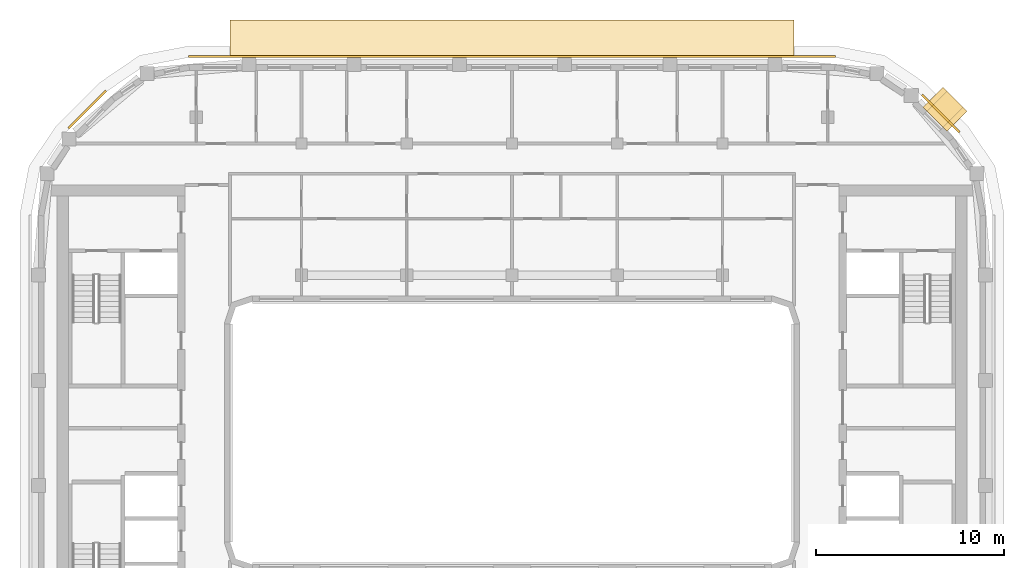
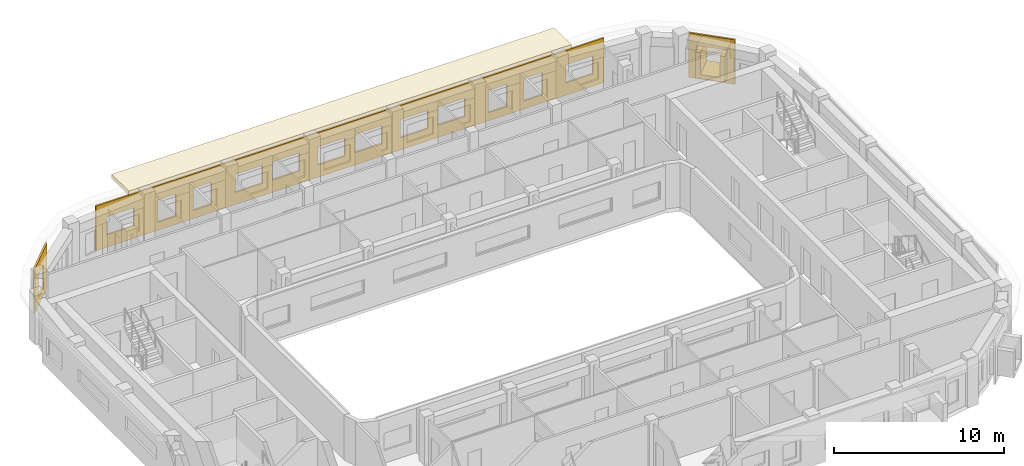
# One storey, part 16 of 16: 6 coverings.
"""IFC4 building model written with IfcOpenShell, lengths in metres."""

from ifc_helpers import new_model, si_unit, direction, frame, origin, origin_2d, place, context, subcontext, project, spatial, polyline, rectangle, outline, extrude, material, layer, layer_set, type_object, element, save


model = new_model("IFC4")

# Units and contexts
model_context = context("Model", 3, precision=1e-05, world=origin(), true_north=direction((0.0, 1.0)))
body_context = subcontext(model_context, "Body", "Model", "MODEL_VIEW")
ifc_project = project(units=[si_unit("LENGTHUNIT", "METRE"), si_unit("AREAUNIT", "SQUARE_METRE"), si_unit("VOLUMEUNIT", "CUBIC_METRE"), si_unit("PLANEANGLEUNIT", "RADIAN"), si_unit("MASSUNIT", "GRAM", prefix="KILO")], contexts=[model_context])

# Site, building, storey
site_placement = place(None, origin())
site = spatial("IfcSite", under=ifc_project, at=site_placement, CompositionType="ELEMENT")
building_placement = place(site_placement, origin())
building = spatial("IfcBuilding", under=site, at=building_placement, Name="Kiln Ring Residences", CompositionType="ELEMENT")
storey_placement = place(building_placement, frame((0.0, 0.0, 273.199951171875)))
storey = spatial("IfcBuildingStorey", under=building, at=storey_placement, Name="L71", CompositionType="ELEMENT", Elevation=273.199951171875)

# Coverings
ifc_material_1 = material(Name="Brick masonry, dark clay brick", Category="masonry")
ifc_layer_1 = layer(ifc_material_1, 0.300048828125)
ifc_layer_set_1 = layer_set([ifc_layer_1], Name="FRAME CHEEKS AND SILL 1500")
covering_type_1 = type_object("IfcCoveringType", Name="FRAME CHEEKS AND SILL 1500", PredefinedType="CLADDING", material=ifc_layer_set_1)
covering_1_placement = place(storey_placement, frame((23.6708984375, 16.58984375, 0.300048828125), z_axis=(0.0, 0.0, 1.0), x_axis=(-0.707106781187, 0.707106781187, 0.0)))
element("IfcCovering", 1, at=covering_1_placement, inside=storey, type_object=covering_type_1, Name="FRAME L71", PredefinedType="CLADDING", context=body_context, shape_type="SweptSolid", body=[
    extrude(outline(polyline([(0.0, 0.0), (1.7998046875, 0.0), (1.800048828125, 1.85009765625), (1.5009765625, 1.85009765625), (1.5, 0.300048828125), (0.300048828125, 0.300048828125), (0.299072265625, 1.85009765625), (0.0, 1.85009765625), (0.0, 0.0)])), frame((0.0, 0.75, 0.0), z_axis=(0.0, -1.0, 0.0), x_axis=(1.0, 0.0, 0.0)), (0.0, 0.0, 1.0), 1.5),
])
ifc_material_2 = material(Name="Brick masonry, dark clay brick", Category="masonry")
ifc_layer_2 = layer(ifc_material_2, 0.199951171875)
ifc_layer_set_2 = layer_set([ifc_layer_2], Name="FRAME HEAD 1500")
covering_type_2 = type_object("IfcCoveringType", Name="FRAME HEAD 1500", PredefinedType="CLADDING", material=ifc_layer_set_2)
covering_2_placement = place(storey_placement, frame((23.034423828125, 17.22607421875, 2.14990234375), z_axis=(0.0, 0.0, 1.0), x_axis=(-0.707106781187, 0.707106781187, 0.0)))
element("IfcCovering", 2, at=covering_2_placement, inside=storey, type_object=covering_type_2, Name="FRAME HEAD L71", PredefinedType="CLADDING", context=body_context, shape_type="SweptSolid", body=[
    extrude(rectangle(XDim=1.800048828125, YDim=1.5, at=origin_2d()), origin(), (0.0, 0.0, 1.0), 0.199951171875),
])
ifc_material_3 = material(Name="Brick masonry, dark clay brick", Category="masonry")
ifc_layer_3 = layer(ifc_material_3, 0.1201171875)
ifc_layer_set_3 = layer_set([ifc_layer_3], Name="RAINSCREEN PANEL 120")
covering_type_3 = type_object("IfcCoveringType", Name="RAINSCREEN PANEL 120", PredefinedType="CLADDING", material=ifc_layer_set_3)
covering_3_placement = place(storey_placement, frame((23.810546875, 16.004638671875, 0.0), z_axis=(0.0, 0.0, 1.0), x_axis=(-0.707106781187, 0.707106781187, 0.0)))
element("IfcCovering", 3, at=covering_3_placement, inside=storey, type_object=covering_type_3, Name="RAINSCREEN L71", PredefinedType="CLADDING", context=body_context, shape_type="SweptSolid", body=[
    extrude(outline(polyline([(0.0, 0.0), (2.824951171875, 0.0), (2.824951171875, 3.199951171875), (0.0, 3.199951171875), (0.0, 0.0)]), holes=[polyline([(0.492431640625, 2.3701171875), (0.492431640625, 0.280029296875), (2.33251953125, 0.280029296875), (2.33251953125, 2.3701171875), (0.492431640625, 2.3701171875)])]), frame((0.0, 0.06005859375, 0.0), z_axis=(0.0, -1.0, 0.0), x_axis=(1.0, 0.0, 0.0)), (0.0, 0.0, 1.0), 0.1201171875),
])
covering_4_placement = place(storey_placement, frame((17.199951171875, 20.034912109375, 0.0), z_axis=(0.0, 0.0, 1.0), x_axis=(-1.0, 0.0, 0.0)))
element("IfcCovering", 4, at=covering_4_placement, inside=storey, type_object=covering_type_3, Name="RAINSCREEN L71", PredefinedType="CLADDING", context=body_context, shape_type="SweptSolid", body=[
    extrude(outline(polyline([(0.0, 0.0), (34.39990234375, 0.0), (34.39990234375, 3.199951171875), (0.0, 3.199951171875), (0.0, 0.0)]), holes=[polyline([(4.179931640625, 0.580078125), (5.419921875, 0.580078125), (5.419921875, 2.170166015625), (4.179931640625, 2.170166015625), (4.179931640625, 0.580078125)]), polyline([(6.580078125, 2.170166015625), (6.580078125, 0.580078125), (7.820068359375, 0.580078125), (7.820068359375, 2.170166015625), (6.580078125, 2.170166015625)]), polyline([(0.72998046875, 2.170166015625), (0.72998046875, 0.880126953125), (2.570068359375, 0.880126953125), (2.570068359375, 2.170166015625), (0.72998046875, 2.170166015625)]), polyline([(9.429931640625, 0.880126953125), (11.27001953125, 0.880126953125), (11.27001953125, 2.170166015625), (9.429931640625, 2.170166015625), (9.429931640625, 0.880126953125)]), polyline([(11.929931640625, 2.170166015625), (11.929931640625, 0.880126953125), (13.77001953125, 0.880126953125), (13.77001953125, 2.170166015625), (11.929931640625, 2.170166015625)]), polyline([(15.030029296875, 2.170166015625), (15.030029296875, 0.880126953125), (16.8701171875, 0.880126953125), (16.8701171875, 2.170166015625), (15.030029296875, 2.170166015625)]), polyline([(26.580078125, 0.580078125), (27.820068359375, 0.580078125), (27.820068359375, 2.170166015625), (26.580078125, 2.170166015625), (26.580078125, 0.580078125)]), polyline([(28.97998046875, 2.170166015625), (28.97998046875, 0.580078125), (30.219970703125, 0.580078125), (30.219970703125, 2.170166015625), (28.97998046875, 2.170166015625)]), polyline([(17.530029296875, 2.170166015625), (17.530029296875, 0.880126953125), (19.3701171875, 0.880126953125), (19.3701171875, 2.170166015625), (17.530029296875, 2.170166015625)]), polyline([(20.6298828125, 0.880126953125), (22.469970703125, 0.880126953125), (22.469970703125, 2.170166015625), (20.6298828125, 2.170166015625), (20.6298828125, 0.880126953125)]), polyline([(23.1298828125, 2.170166015625), (23.1298828125, 0.880126953125), (24.969970703125, 0.880126953125), (24.969970703125, 2.170166015625), (23.1298828125, 2.170166015625)]), polyline([(31.830078125, 2.170166015625), (31.830078125, 0.880126953125), (33.669921875, 0.880126953125), (33.669921875, 2.170166015625), (31.830078125, 2.170166015625)])]), frame((0.0, 0.06005859375, 0.0), z_axis=(0.0, -1.0, 0.0), x_axis=(1.0, 0.0, 0.0)), (0.0, 0.0, 1.0), 0.1201171875),
])
covering_5_placement = place(storey_placement, frame((-21.604736328125, 18.21044921875, 0.0), z_axis=(0.0, 0.0, 1.0), x_axis=(-0.707106781187, -0.707106781187, 0.0)))
element("IfcCovering", 5, at=covering_5_placement, inside=storey, type_object=covering_type_3, Name="RAINSCREEN L71", PredefinedType="CLADDING", context=body_context, shape_type="SweptSolid", body=[
    extrude(outline(polyline([(0.0, 0.0), (2.824951171875, 0.0), (2.824951171875, 3.199951171875), (0.0, 3.199951171875), (0.0, 0.0)]), holes=[polyline([(0.79248046875, 2.170166015625), (0.79248046875, 0.580078125), (2.032470703125, 0.580078125), (2.032470703125, 2.170166015625), (0.79248046875, 2.170166015625)])]), frame((0.0, 0.06005859375, 0.0), z_axis=(0.0, -1.0, 0.0), x_axis=(1.0, 0.0, 0.0)), (0.0, 0.0, 1.0), 0.1201171875),
])
ifc_material_4 = material(Name="Black powder-coated steel", Category="steel")
ifc_layer_4 = layer(ifc_material_4, 0.300048828125)
ifc_layer_set_4 = layer_set([ifc_layer_4], Name="SUNSHADE BAND 2000")
covering_type_4 = type_object("IfcCoveringType", Name="SUNSHADE BAND 2000", PredefinedType="CLADDING", material=ifc_layer_set_4)
covering_6_placement = place(storey_placement, frame((0.0, 0.0, 3.199951171875)))
element("IfcCovering", 6, at=covering_6_placement, inside=storey, type_object=covering_type_4, Name="SUNSHADE BAND L71", PredefinedType="CLADDING", context=body_context, shape_type="SweptSolid", body=[
    extrude(outline(polyline([(15.0, 21.97509765625), (-15.0, 21.97509765625), (-15.0, 19.97509765625), (15.0, 19.97509765625), (15.0, 21.97509765625)])), origin(), (0.0, 0.0, 1.0), 0.300048828125),
])

save(model, "model.ifc")
